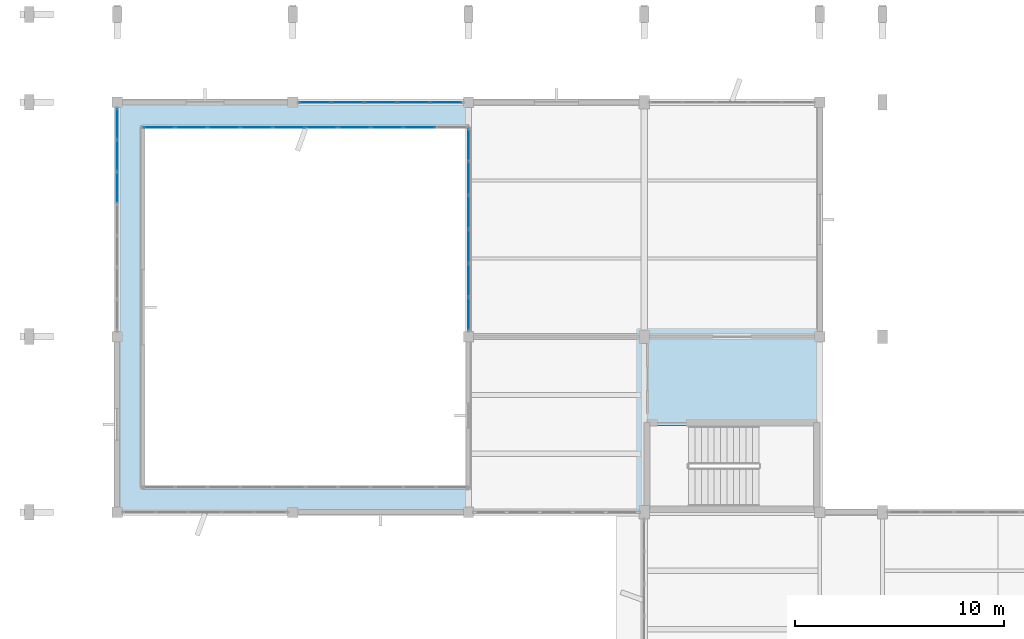
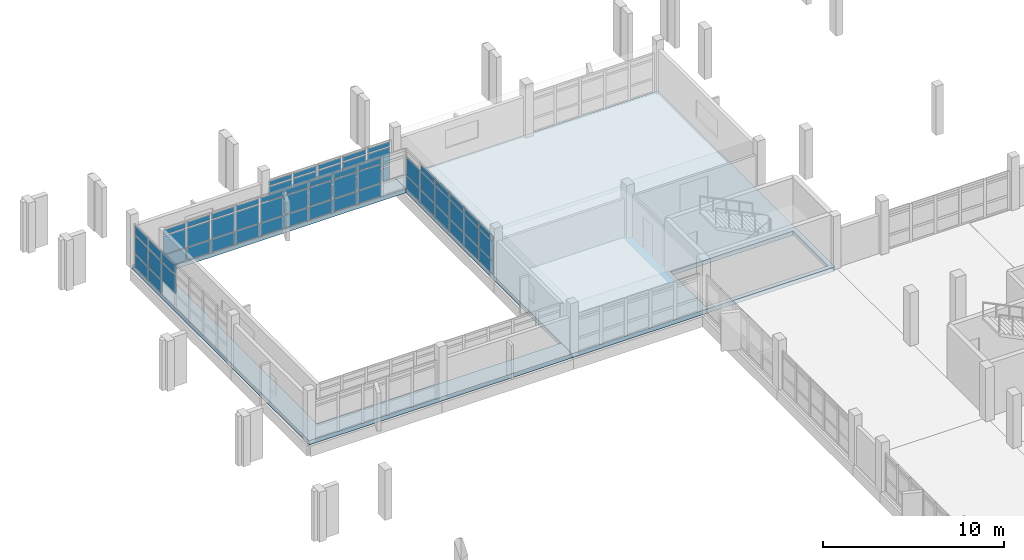
# One storey, part 60 of 104: 67 plates, 2 slabs, 4 elements without a shape of their own.
"""IFC4 building model written with IfcOpenShell, lengths in metres."""

import ifcopenshell
import ifcopenshell.guid

model = None  # the IFC model being written
_history = None  # IfcOwnerHistory: only IFC2X3 demands one
_inside = {}  # id of a spatial element -> (the spatial element, [elements in it])
_under = {}  # id of a project, library or spatial element -> (it, [spatial elements below it])
_declared = {}  # id of a project -> (the project, [libraries it declares])
_typed = {}  # id of a type object -> (the type object, [elements of that type])
_made_of = {}  # id of a material, layer set ... -> (it, [elements and type objects made of it])


def new_model(schema):
    """Start an empty IFC model of exactly this schema.

    Asked for "IFC4X3", IfcOpenShell would pick the latest addendum, in which some entities
    have other attributes; the version numbers below select the first issue.
    IFC2X3 requires an IfcOwnerHistory on every rooted entity: one is made here for all.
    """
    global model, _history
    if schema == "IFC4X3":
        model = ifcopenshell.file(schema_version=(4, 3, 0, 0))
    else:
        model = ifcopenshell.file(schema=schema)
    _inside.clear()
    _under.clear()
    _declared.clear()
    _typed.clear()
    _made_of.clear()
    _history = None
    if model.schema == "IFC2X3":
        org = make("IfcOrganization", Name="unknown")
        user = make(
            "IfcPersonAndOrganization",
            ThePerson=make("IfcPerson", FamilyName="unknown"),
            TheOrganization=org,
        )
        app = make(
            "IfcApplication",
            ApplicationDeveloper=org,
            Version="unknown",
            ApplicationFullName="unknown",
            ApplicationIdentifier="unknown",
        )
        _history = make(
            "IfcOwnerHistory",
            OwningUser=user,
            OwningApplication=app,
            ChangeAction="ADDED",
            CreationDate=0,
        )
    return model


def make(cls, **values):
    """One entity of the class cls with the attributes given. An attribute that is None is left unset."""
    return model.create_entity(
        cls, **{name: value for name, value in values.items() if value is not None}
    )


def rooted(cls, **values):
    """An entity with a GlobalId (a new one), such as an element, a storey or a relation."""
    return make(cls, GlobalId=ifcopenshell.guid.new(), OwnerHistory=_history, **values)


def si_unit(unit_type, name, prefix=None):
    """IfcSIUnit, for example si_unit("LENGTHUNIT", "METRE", prefix="MILLI")."""
    return make("IfcSIUnit", UnitType=unit_type, Prefix=prefix, Name=name)


def assignment(units):
    """IfcUnitAssignment: the units of a project."""
    return None if units is None else make("IfcUnitAssignment", Units=units)


def point(xyz):
    """IfcCartesianPoint."""
    return None if xyz is None else make("IfcCartesianPoint", Coordinates=xyz)


def direction(xyz):
    """IfcDirection."""
    return None if xyz is None else make("IfcDirection", DirectionRatios=xyz)


def frame(location, z_axis=None, x_axis=None):
    """IfcAxis2Placement3D, a coordinate frame: its origin and axes. An axis left out is left unset."""
    return make(
        "IfcAxis2Placement3D",
        Location=point(location),
        Axis=direction(z_axis),
        RefDirection=direction(x_axis),
    )


def frame_2d(location, x_axis=None):
    """IfcAxis2Placement2D, a coordinate frame in the plane: its origin and x axis."""
    return make(
        "IfcAxis2Placement2D", Location=point(location), RefDirection=direction(x_axis)
    )


def origin():
    """The frame at (0, 0, 0) with its axes left unset."""
    return frame((0.0, 0.0, 0.0))


def origin_2d():
    """The frame at (0, 0) in the plane with its x axis left unset."""
    return frame_2d((0.0, 0.0))


def place(relative_to, where):
    """IfcLocalPlacement: puts the frame where relative to a parent placement (None: the world)."""
    return make(
        "IfcLocalPlacement", PlacementRelTo=relative_to, RelativePlacement=where
    )


def context(
    kind, dimensions, precision=None, world=None, true_north=None, identifier=None
):
    """IfcGeometricRepresentationContext, for example the 3D "Model" context."""
    return make(
        "IfcGeometricRepresentationContext",
        ContextIdentifier=identifier,
        ContextType=kind,
        CoordinateSpaceDimension=dimensions,
        Precision=precision,
        WorldCoordinateSystem=world,
        TrueNorth=true_north,
    )


def subcontext(parent, identifier, kind, view, scale=None):
    """IfcGeometricRepresentationSubContext, for example "Body" below "Model"."""
    return make(
        "IfcGeometricRepresentationSubContext",
        ContextIdentifier=identifier,
        ContextType=kind,
        ParentContext=parent,
        TargetScale=scale,
        TargetView=view,
    )


def project(units=None, contexts=None):
    """IfcProject with its units and contexts."""
    return rooted(
        "IfcProject",
        Name="project",
        RepresentationContexts=contexts,
        UnitsInContext=assignment(units),
    )


def spatial(cls, under=None, at=None, **own):
    """A site, building, storey or space (cls), placed at a placement, below another one or the project."""
    s = rooted(cls, ObjectPlacement=at, **own)
    if under is not None:
        _under.setdefault(under.id(), (under, []))[1].append(s)
    return s


def polyline(points):
    """IfcPolyline through the points."""
    return make("IfcPolyline", Points=[point(p) for p in points])


def profile(cls, at=None, kind="AREA", **sizes):
    """A parametric profile (cls). Its sizes go by their IFC names, for example OverallWidth=200.0."""
    return make(cls, ProfileType=kind, Position=at, **sizes)


def rectangle(**sizes):
    """IfcRectangleProfileDef."""
    return profile("IfcRectangleProfileDef", **sizes)


def outline(outer, holes=None, kind="AREA"):
    """IfcArbitraryClosedProfileDef: a profile drawn as a closed curve; with holes, ...WithVoids."""
    if holes is None:
        return make("IfcArbitraryClosedProfileDef", ProfileType=kind, OuterCurve=outer)
    return make(
        "IfcArbitraryProfileDefWithVoids",
        ProfileType=kind,
        OuterCurve=outer,
        InnerCurves=holes,
    )


def extrude(swept, where, along, depth):
    """IfcExtrudedAreaSolid: the profile swept, set in the frame where, extruded along a direction by depth."""
    return make(
        "IfcExtrudedAreaSolid",
        SweptArea=swept,
        Position=where,
        ExtrudedDirection=direction(along),
        Depth=depth,
    )


def shape(context_of_items, identifier, shape_type, items):
    """IfcShapeRepresentation: the items that make up one representation, for example the "Body"."""
    return make(
        "IfcShapeRepresentation",
        ContextOfItems=context_of_items,
        RepresentationIdentifier=identifier,
        RepresentationType=shape_type,
        Items=items,
    )


def material(Name=None, Category=None):
    """IfcMaterial."""
    return make("IfcMaterial", Name=Name, Category=Category)


def layer(
    of_material, thickness, ventilated=None, Name=None, Category=None, Priority=None
):
    """IfcMaterialLayer: one layer of a wall or slab, of a material (None: an air gap)."""
    return make(
        "IfcMaterialLayer",
        Material=of_material,
        LayerThickness=thickness,
        IsVentilated=ventilated,
        Name=Name,
        Category=Category,
        Priority=Priority,
    )


def layer_set(layers, Name=None):
    """IfcMaterialLayerSet."""
    return make("IfcMaterialLayerSet", MaterialLayers=layers, LayerSetName=Name)


def made_of(thing, what):
    """Note that an element or type object is made of a material, layer set ...; save() writes the relation."""
    if what is not None:
        _made_of.setdefault(what.id(), (what, []))[1].append(thing)
    return thing


def type_object(cls, material=None, **own):
    """A type object (cls), such as IfcWallType, which elements share."""
    return made_of(rooted(cls, **own), material)


def element(
    cls,
    number,
    at=None,
    inside=None,
    cuts=None,
    type_object=None,
    material=None,
    context=None,
    identifier="Body",
    shape_type=None,
    held_by="IfcProductDefinitionShape",
    body=None,
    shapes=None,
    **own,
):
    """One element of the class cls, such as IfcWall. Its Tag is "e" and its number.

    at: its placement. inside: the storey or other place that contains it. cuts: it is an
    opening in that element (IfcRelVoidsElement). A single representation is given by context,
    identifier, shape_type and body (its items); several are given by shapes. held_by: the class
    of the entity that holds the representations. save() writes the other relations.
    """
    e = rooted(cls, Tag="e%d" % number, ObjectPlacement=at, **own)
    if body is not None:
        shapes = [shape(context, identifier, shape_type, body)]
    if shapes is not None:
        e.Representation = make(held_by, Representations=shapes)
    if inside is not None:
        _inside.setdefault(inside.id(), (inside, []))[1].append(e)
    if cuts is not None:
        rooted(
            "IfcRelVoidsElement", RelatingBuildingElement=cuts, RelatedOpeningElement=e
        )
    if type_object is not None:
        _typed.setdefault(type_object.id(), (type_object, []))[1].append(e)
    return made_of(e, material)


def aggregate(whole, parts):
    """IfcRelAggregates: a whole, such as a stair, and the parts it consists of."""
    return rooted("IfcRelAggregates", RelatingObject=whole, RelatedObjects=parts)


def save(model, path):
    """Write the relations noted so far, then the file.

    IfcRelAggregates (storeys below a building ...), IfcRelContainedInSpatialStructure (elements
    in a storey), IfcRelDefinesByType, IfcRelAssociatesMaterial and IfcRelDeclares: one each for
    every whole, place, type object, material and project.
    """
    for whole, parts in _under.values():
        aggregate(whole, parts)
    for where, things in _inside.values():
        rooted(
            "IfcRelContainedInSpatialStructure",
            RelatedElements=things,
            RelatingStructure=where,
        )
    for kind, things in _typed.values():
        rooted("IfcRelDefinesByType", RelatedObjects=things, RelatingType=kind)
    for what, things in _made_of.values():
        rooted("IfcRelAssociatesMaterial", RelatedObjects=things, RelatingMaterial=what)
    for by, libraries in _declared.values():
        rooted("IfcRelDeclares", RelatingContext=by, RelatedDefinitions=libraries)
    model.write(path)


model = new_model("IFC4")

# Units and contexts
model_context = context("Model", 3, precision=1e-05, world=origin(), true_north=direction((0.0, 1.0)))
body_context = subcontext(model_context, "Body", "Model", "MODEL_VIEW")
ifc_project = project(units=[si_unit("LENGTHUNIT", "METRE"), si_unit("AREAUNIT", "SQUARE_METRE"), si_unit("VOLUMEUNIT", "CUBIC_METRE"), si_unit("PLANEANGLEUNIT", "RADIAN"), si_unit("MASSUNIT", "GRAM", prefix="KILO")], contexts=[model_context])

# Site, building, storey
site_placement = place(None, origin())
site = spatial("IfcSite", under=ifc_project, at=site_placement, CompositionType="ELEMENT")
building_placement = place(site_placement, origin())
building = spatial("IfcBuilding", under=site, at=building_placement, Name="Vanh Quang Courtyard School", CompositionType="ELEMENT")
storey_placement = place(building_placement, frame((0.0, 0.0, 4.199951171875)))
storey = spatial("IfcBuildingStorey", under=building, at=storey_placement, Name="L01", CompositionType="ELEMENT", Elevation=4.199951171875)

# Curtain wall, plates
ifc_material_1 = material(Name="Thermally broken aluminium unitised curtain wall", Category="aluminium")
curtain_wall_type_1 = type_object("IfcCurtainWallType", Name="CW-SYS-22", PredefinedType="NOTDEFINED", material=ifc_material_1)
curtain_wall_1_placement = place(storey_placement, origin())
curtain_wall_1 = element("IfcCurtainWall", 1, at=curtain_wall_1_placement, inside=storey, type_object=curtain_wall_type_1, Name="Curtain Wall CW-22 (L01)", PredefinedType="NOTDEFINED")
ifc_material_2 = material(Name="Low-E laminated double glazing", Category="glass")
ifc_layer_1 = layer(ifc_material_2, 0.028076171875)
ifc_layer_set_1 = layer_set([ifc_layer_1], Name="Low-E laminated double glazing")
plate_type_1 = type_object("IfcPlateType", Name="CW-PNL-28", PredefinedType="CURTAIN_PANEL", material=ifc_layer_set_1)
plate_1_placement = place(storey_placement, frame((4.199951171875, 103.726318359375, 0.985107421875), z_axis=(0.0, 0.0, 1.0), x_axis=(0.0, 1.0, 0.0)))
plate_1 = element("IfcPlate", 2, at=plate_1_placement, type_object=plate_type_1, Name="CW-22 panel 5.2", PredefinedType="CURTAIN_PANEL", context=body_context, shape_type="SweptSolid", body=[
    extrude(rectangle(XDim=1.456298828125, YDim=0.028076171875, at=origin_2d()), origin(), (0.0, 0.0, 1.0), 1.22998046875),
])
plate_2_placement = place(storey_placement, frame((4.199951171875, 103.726318359375, 2.28515625), z_axis=(0.0, 0.0, 1.0), x_axis=(0.0, 1.0, 0.0)))
plate_2 = element("IfcPlate", 3, at=plate_2_placement, type_object=plate_type_1, Name="CW-22 panel 5.3", PredefinedType="CURTAIN_PANEL", context=body_context, shape_type="SweptSolid", body=[
    extrude(rectangle(XDim=1.456298828125, YDim=0.028076171875, at=origin_2d()), origin(), (0.0, 0.0, 1.0), 0.60498046875),
])
plate_3_placement = place(storey_placement, frame((4.199951171875, 105.252685546875, 0.06982421875), z_axis=(0.0, 0.0, 1.0), x_axis=(0.0, 1.0, 0.0)))
plate_3 = element("IfcPlate", 4, at=plate_3_placement, type_object=plate_type_1, Name="CW-22 panel 6.1", PredefinedType="CURTAIN_PANEL", context=body_context, shape_type="SweptSolid", body=[
    extrude(rectangle(XDim=1.456298828125, YDim=0.028076171875, at=origin_2d()), origin(), (0.0, 0.0, 1.0), 0.844970703125),
])
plate_4_placement = place(storey_placement, frame((4.199951171875, 105.252685546875, 0.985107421875), z_axis=(0.0, 0.0, 1.0), x_axis=(0.0, 1.0, 0.0)))
plate_4 = element("IfcPlate", 5, at=plate_4_placement, type_object=plate_type_1, Name="CW-22 panel 6.2", PredefinedType="CURTAIN_PANEL", context=body_context, shape_type="SweptSolid", body=[
    extrude(rectangle(XDim=1.456298828125, YDim=0.028076171875, at=origin_2d()), origin(), (0.0, 0.0, 1.0), 1.22998046875),
])
plate_5_placement = place(storey_placement, frame((4.199951171875, 105.252685546875, 2.28515625), z_axis=(0.0, 0.0, 1.0), x_axis=(0.0, 1.0, 0.0)))
plate_5 = element("IfcPlate", 6, at=plate_5_placement, type_object=plate_type_1, Name="CW-22 panel 6.3", PredefinedType="CURTAIN_PANEL", context=body_context, shape_type="SweptSolid", body=[
    extrude(rectangle(XDim=1.456298828125, YDim=0.028076171875, at=origin_2d()), origin(), (0.0, 0.0, 1.0), 0.60498046875),
])
plate_6_placement = place(storey_placement, frame((4.199951171875, 106.761474609375, 0.06982421875), z_axis=(0.0, 0.0, 1.0), x_axis=(0.0, 1.0, 0.0)))
plate_6 = element("IfcPlate", 7, at=plate_6_placement, type_object=plate_type_1, Name="CW-22 panel 7.1", PredefinedType="CURTAIN_PANEL", context=body_context, shape_type="SweptSolid", body=[
    extrude(rectangle(XDim=1.42138671875, YDim=0.028076171875, at=origin_2d()), origin(), (0.0, 0.0, 1.0), 0.844970703125),
])
plate_7_placement = place(storey_placement, frame((4.199951171875, 106.761474609375, 0.985107421875), z_axis=(0.0, 0.0, 1.0), x_axis=(0.0, 1.0, 0.0)))
plate_7 = element("IfcPlate", 8, at=plate_7_placement, type_object=plate_type_1, Name="CW-22 panel 7.2", PredefinedType="CURTAIN_PANEL", context=body_context, shape_type="SweptSolid", body=[
    extrude(rectangle(XDim=1.42138671875, YDim=0.028076171875, at=origin_2d()), origin(), (0.0, 0.0, 1.0), 1.22998046875),
])
plate_8_placement = place(storey_placement, frame((4.199951171875, 106.761474609375, 2.28515625), z_axis=(0.0, 0.0, 1.0), x_axis=(0.0, 1.0, 0.0)))
plate_8 = element("IfcPlate", 9, at=plate_8_placement, type_object=plate_type_1, Name="CW-22 panel 7.3", PredefinedType="CURTAIN_PANEL", context=body_context, shape_type="SweptSolid", body=[
    extrude(rectangle(XDim=1.42138671875, YDim=0.028076171875, at=origin_2d()), origin(), (0.0, 0.0, 1.0), 0.60498046875),
])
aggregate(curtain_wall_1, [plate_1, plate_2, plate_3, plate_4, plate_5, plate_6, plate_7, plate_8])

curtain_wall_type_2 = type_object("IfcCurtainWallType", Name="CW-SYS-23", PredefinedType="NOTDEFINED", material=ifc_material_1)
curtain_wall_2_placement = place(storey_placement, origin())
curtain_wall_2 = element("IfcCurtainWall", 10, at=curtain_wall_2_placement, inside=storey, type_object=curtain_wall_type_2, Name="Curtain Wall CW-23 (L01)", PredefinedType="NOTDEFINED")
ifc_layer_2 = layer(ifc_material_2, 0.031982421875)
ifc_layer_set_2 = layer_set([ifc_layer_2], Name="Low-E laminated double glazing")
plate_type_2 = type_object("IfcPlateType", Name="CW-PNL-32", PredefinedType="CURTAIN_PANEL", material=ifc_layer_set_2)
plate_9_placement = place(storey_placement, frame((13.66650390625, 107.800048828125, 0.080078125), z_axis=(0.0, 0.0, 1.0), x_axis=(1.0, 0.0, 0.0)))
plate_9 = element("IfcPlate", 11, at=plate_9_placement, type_object=plate_type_2, Name="CW-23 panel 1.1", PredefinedType="CURTAIN_PANEL", context=body_context, shape_type="SweptSolid", body=[
    extrude(rectangle(XDim=1.456787109375, YDim=0.031982421875, at=origin_2d()), origin(), (0.0, 0.0, 1.0), 0.830078125),
])
plate_10_placement = place(storey_placement, frame((13.66650390625, 107.800048828125, 0.990234375), z_axis=(0.0, 0.0, 1.0), x_axis=(1.0, 0.0, 0.0)))
plate_10 = element("IfcPlate", 12, at=plate_10_placement, type_object=plate_type_2, Name="CW-23 panel 1.2", PredefinedType="CURTAIN_PANEL", context=body_context, shape_type="SweptSolid", body=[
    extrude(rectangle(XDim=1.456787109375, YDim=0.031982421875, at=origin_2d()), origin(), (0.0, 0.0, 1.0), 1.219970703125),
])
plate_11_placement = place(storey_placement, frame((13.66650390625, 107.800048828125, 2.2900390625), z_axis=(0.0, 0.0, 1.0), x_axis=(1.0, 0.0, 0.0)))
plate_11 = element("IfcPlate", 13, at=plate_11_placement, type_object=plate_type_2, Name="CW-23 panel 1.3", PredefinedType="CURTAIN_PANEL", context=body_context, shape_type="SweptSolid", body=[
    extrude(rectangle(XDim=1.456787109375, YDim=0.031982421875, at=origin_2d()), origin(), (0.0, 0.0, 1.0), 0.300048828125),
])
plate_12_placement = place(storey_placement, frame((15.22314453125, 107.800048828125, 0.080078125), z_axis=(0.0, 0.0, 1.0), x_axis=(1.0, 0.0, 0.0)))
plate_12 = element("IfcPlate", 14, at=plate_12_placement, type_object=plate_type_2, Name="CW-23 panel 2.1", PredefinedType="CURTAIN_PANEL", context=body_context, shape_type="SweptSolid", body=[
    extrude(rectangle(XDim=1.496826171875, YDim=0.031982421875, at=origin_2d()), origin(), (0.0, 0.0, 1.0), 0.830078125),
])
plate_13_placement = place(storey_placement, frame((15.22314453125, 107.800048828125, 0.990234375), z_axis=(0.0, 0.0, 1.0), x_axis=(1.0, 0.0, 0.0)))
plate_13 = element("IfcPlate", 15, at=plate_13_placement, type_object=plate_type_2, Name="CW-23 panel 2.2", PredefinedType="CURTAIN_PANEL", context=body_context, shape_type="SweptSolid", body=[
    extrude(rectangle(XDim=1.496826171875, YDim=0.031982421875, at=origin_2d()), origin(), (0.0, 0.0, 1.0), 1.219970703125),
])
plate_14_placement = place(storey_placement, frame((15.22314453125, 107.800048828125, 2.2900390625), z_axis=(0.0, 0.0, 1.0), x_axis=(1.0, 0.0, 0.0)))
plate_14 = element("IfcPlate", 16, at=plate_14_placement, type_object=plate_type_2, Name="CW-23 panel 2.3", PredefinedType="CURTAIN_PANEL", context=body_context, shape_type="SweptSolid", body=[
    extrude(rectangle(XDim=1.496826171875, YDim=0.031982421875, at=origin_2d()), origin(), (0.0, 0.0, 1.0), 0.300048828125),
])
plate_15_placement = place(storey_placement, frame((16.800048828125, 107.800048828125, 0.080078125), z_axis=(0.0, 0.0, 1.0), x_axis=(1.0, 0.0, 0.0)))
plate_15 = element("IfcPlate", 17, at=plate_15_placement, type_object=plate_type_2, Name="CW-23 panel 3.1", PredefinedType="CURTAIN_PANEL", context=body_context, shape_type="SweptSolid", body=[
    extrude(rectangle(XDim=1.496826171875, YDim=0.031982421875, at=origin_2d()), origin(), (0.0, 0.0, 1.0), 0.830078125),
])
plate_16_placement = place(storey_placement, frame((16.800048828125, 107.800048828125, 0.990234375), z_axis=(0.0, 0.0, 1.0), x_axis=(1.0, 0.0, 0.0)))
plate_16 = element("IfcPlate", 18, at=plate_16_placement, type_object=plate_type_2, Name="CW-23 panel 3.2", PredefinedType="CURTAIN_PANEL", context=body_context, shape_type="SweptSolid", body=[
    extrude(rectangle(XDim=1.496826171875, YDim=0.031982421875, at=origin_2d()), origin(), (0.0, 0.0, 1.0), 1.219970703125),
])
plate_17_placement = place(storey_placement, frame((16.800048828125, 107.800048828125, 2.2900390625), z_axis=(0.0, 0.0, 1.0), x_axis=(1.0, 0.0, 0.0)))
plate_17 = element("IfcPlate", 19, at=plate_17_placement, type_object=plate_type_2, Name="CW-23 panel 3.3", PredefinedType="CURTAIN_PANEL", context=body_context, shape_type="SweptSolid", body=[
    extrude(rectangle(XDim=1.496826171875, YDim=0.031982421875, at=origin_2d()), origin(), (0.0, 0.0, 1.0), 0.300048828125),
])
plate_18_placement = place(storey_placement, frame((18.376708984375, 107.800048828125, 0.080078125), z_axis=(0.0, 0.0, 1.0), x_axis=(1.0, 0.0, 0.0)))
plate_18 = element("IfcPlate", 20, at=plate_18_placement, type_object=plate_type_2, Name="CW-23 panel 4.1", PredefinedType="CURTAIN_PANEL", context=body_context, shape_type="SweptSolid", body=[
    extrude(rectangle(XDim=1.496826171875, YDim=0.031982421875, at=origin_2d()), origin(), (0.0, 0.0, 1.0), 0.830078125),
])
plate_19_placement = place(storey_placement, frame((18.376708984375, 107.800048828125, 0.990234375), z_axis=(0.0, 0.0, 1.0), x_axis=(1.0, 0.0, 0.0)))
plate_19 = element("IfcPlate", 21, at=plate_19_placement, type_object=plate_type_2, Name="CW-23 panel 4.2", PredefinedType="CURTAIN_PANEL", context=body_context, shape_type="SweptSolid", body=[
    extrude(rectangle(XDim=1.496826171875, YDim=0.031982421875, at=origin_2d()), origin(), (0.0, 0.0, 1.0), 1.219970703125),
])
plate_20_placement = place(storey_placement, frame((18.376708984375, 107.800048828125, 2.2900390625), z_axis=(0.0, 0.0, 1.0), x_axis=(1.0, 0.0, 0.0)))
plate_20 = element("IfcPlate", 22, at=plate_20_placement, type_object=plate_type_2, Name="CW-23 panel 4.3", PredefinedType="CURTAIN_PANEL", context=body_context, shape_type="SweptSolid", body=[
    extrude(rectangle(XDim=1.496826171875, YDim=0.031982421875, at=origin_2d()), origin(), (0.0, 0.0, 1.0), 0.300048828125),
])
plate_21_placement = place(storey_placement, frame((19.93359375, 107.800048828125, 0.080078125), z_axis=(0.0, 0.0, 1.0), x_axis=(1.0, 0.0, 0.0)))
plate_21 = element("IfcPlate", 23, at=plate_21_placement, type_object=plate_type_2, Name="CW-23 panel 5.1", PredefinedType="CURTAIN_PANEL", context=body_context, shape_type="SweptSolid", body=[
    extrude(rectangle(XDim=1.456787109375, YDim=0.031982421875, at=origin_2d()), origin(), (0.0, 0.0, 1.0), 0.830078125),
])
plate_22_placement = place(storey_placement, frame((19.93359375, 107.800048828125, 0.990234375), z_axis=(0.0, 0.0, 1.0), x_axis=(1.0, 0.0, 0.0)))
plate_22 = element("IfcPlate", 24, at=plate_22_placement, type_object=plate_type_2, Name="CW-23 panel 5.2", PredefinedType="CURTAIN_PANEL", context=body_context, shape_type="SweptSolid", body=[
    extrude(rectangle(XDim=1.456787109375, YDim=0.031982421875, at=origin_2d()), origin(), (0.0, 0.0, 1.0), 1.219970703125),
])
plate_23_placement = place(storey_placement, frame((19.93359375, 107.800048828125, 2.2900390625), z_axis=(0.0, 0.0, 1.0), x_axis=(1.0, 0.0, 0.0)))
plate_23 = element("IfcPlate", 25, at=plate_23_placement, type_object=plate_type_2, Name="CW-23 panel 5.3", PredefinedType="CURTAIN_PANEL", context=body_context, shape_type="SweptSolid", body=[
    extrude(rectangle(XDim=1.456787109375, YDim=0.031982421875, at=origin_2d()), origin(), (0.0, 0.0, 1.0), 0.300048828125),
])
aggregate(curtain_wall_2, [plate_9, plate_10, plate_11, plate_12, plate_13, plate_14, plate_15, plate_16, plate_17, plate_18, plate_19, plate_20, plate_21, plate_22, plate_23])

curtain_wall_type_3 = type_object("IfcCurtainWallType", Name="CW-SYS-35", PredefinedType="NOTDEFINED", material=ifc_material_1)
curtain_wall_3_placement = place(storey_placement, origin())
curtain_wall_3 = element("IfcCurtainWall", 26, at=curtain_wall_3_placement, inside=storey, type_object=curtain_wall_type_3, Name="Curtain Wall CW-35 (L01)", PredefinedType="NOTDEFINED")
plate_24_placement = place(storey_placement, frame((18.659912109375, 106.60009765625, 0.080078125), z_axis=(0.0, 0.0, 1.0), x_axis=(-1.0, 0.0, 0.0)))
plate_24 = element("IfcPlate", 27, at=plate_24_placement, type_object=plate_type_2, Name="CW-35 panel 2.1", PredefinedType="CURTAIN_PANEL", context=body_context, shape_type="SweptSolid", body=[
    extrude(rectangle(XDim=1.47998046875, YDim=0.031982421875, at=origin_2d()), origin(), (0.0, 0.0, 1.0), 0.830078125),
])
plate_25_placement = place(storey_placement, frame((18.659912109375, 106.60009765625, 0.990234375), z_axis=(0.0, 0.0, 1.0), x_axis=(-1.0, 0.0, 0.0)))
plate_25 = element("IfcPlate", 28, at=plate_25_placement, type_object=plate_type_2, Name="CW-35 panel 2.2", PredefinedType="CURTAIN_PANEL", context=body_context, shape_type="SweptSolid", body=[
    extrude(rectangle(XDim=1.47998046875, YDim=0.031982421875, at=origin_2d()), origin(), (0.0, 0.0, 1.0), 1.219970703125),
])
plate_26_placement = place(storey_placement, frame((18.659912109375, 106.60009765625, 2.2900390625), z_axis=(0.0, 0.0, 1.0), x_axis=(-1.0, 0.0, 0.0)))
plate_26 = element("IfcPlate", 29, at=plate_26_placement, type_object=plate_type_2, Name="CW-35 panel 2.3", PredefinedType="CURTAIN_PANEL", context=body_context, shape_type="SweptSolid", body=[
    extrude(rectangle(XDim=1.47998046875, YDim=0.031982421875, at=origin_2d()), origin(), (0.0, 0.0, 1.0), 0.35009765625),
])
plate_27_placement = place(storey_placement, frame((17.10009765625, 106.60009765625, 0.080078125), z_axis=(0.0, 0.0, 1.0), x_axis=(-1.0, 0.0, 0.0)))
plate_27 = element("IfcPlate", 30, at=plate_27_placement, type_object=plate_type_2, Name="CW-35 panel 3.1", PredefinedType="CURTAIN_PANEL", context=body_context, shape_type="SweptSolid", body=[
    extrude(rectangle(XDim=1.47998046875, YDim=0.031982421875, at=origin_2d()), origin(), (0.0, 0.0, 1.0), 0.830078125),
])
plate_28_placement = place(storey_placement, frame((17.10009765625, 106.60009765625, 0.990234375), z_axis=(0.0, 0.0, 1.0), x_axis=(-1.0, 0.0, 0.0)))
plate_28 = element("IfcPlate", 31, at=plate_28_placement, type_object=plate_type_2, Name="CW-35 panel 3.2", PredefinedType="CURTAIN_PANEL", context=body_context, shape_type="SweptSolid", body=[
    extrude(rectangle(XDim=1.47998046875, YDim=0.031982421875, at=origin_2d()), origin(), (0.0, 0.0, 1.0), 1.219970703125),
])
plate_29_placement = place(storey_placement, frame((17.10009765625, 106.60009765625, 2.2900390625), z_axis=(0.0, 0.0, 1.0), x_axis=(-1.0, 0.0, 0.0)))
plate_29 = element("IfcPlate", 32, at=plate_29_placement, type_object=plate_type_2, Name="CW-35 panel 3.3", PredefinedType="CURTAIN_PANEL", context=body_context, shape_type="SweptSolid", body=[
    extrude(rectangle(XDim=1.47998046875, YDim=0.031982421875, at=origin_2d()), origin(), (0.0, 0.0, 1.0), 0.35009765625),
])
plate_30_placement = place(storey_placement, frame((15.5400390625, 106.60009765625, 0.080078125), z_axis=(0.0, 0.0, 1.0), x_axis=(-1.0, 0.0, 0.0)))
plate_30 = element("IfcPlate", 33, at=plate_30_placement, type_object=plate_type_2, Name="CW-35 panel 4.1", PredefinedType="CURTAIN_PANEL", context=body_context, shape_type="SweptSolid", body=[
    extrude(rectangle(XDim=1.47998046875, YDim=0.031982421875, at=origin_2d()), origin(), (0.0, 0.0, 1.0), 0.830078125),
])
plate_31_placement = place(storey_placement, frame((15.5400390625, 106.60009765625, 0.990234375), z_axis=(0.0, 0.0, 1.0), x_axis=(-1.0, 0.0, 0.0)))
plate_31 = element("IfcPlate", 34, at=plate_31_placement, type_object=plate_type_2, Name="CW-35 panel 4.2", PredefinedType="CURTAIN_PANEL", context=body_context, shape_type="SweptSolid", body=[
    extrude(rectangle(XDim=1.47998046875, YDim=0.031982421875, at=origin_2d()), origin(), (0.0, 0.0, 1.0), 1.219970703125),
])
plate_32_placement = place(storey_placement, frame((15.5400390625, 106.60009765625, 2.2900390625), z_axis=(0.0, 0.0, 1.0), x_axis=(-1.0, 0.0, 0.0)))
plate_32 = element("IfcPlate", 35, at=plate_32_placement, type_object=plate_type_2, Name="CW-35 panel 4.3", PredefinedType="CURTAIN_PANEL", context=body_context, shape_type="SweptSolid", body=[
    extrude(rectangle(XDim=1.47998046875, YDim=0.031982421875, at=origin_2d()), origin(), (0.0, 0.0, 1.0), 0.35009765625),
])
plate_33_placement = place(storey_placement, frame((13.97998046875, 106.60009765625, 0.080078125), z_axis=(0.0, 0.0, 1.0), x_axis=(-1.0, 0.0, 0.0)))
plate_33 = element("IfcPlate", 36, at=plate_33_placement, type_object=plate_type_2, Name="CW-35 panel 5.1", PredefinedType="CURTAIN_PANEL", context=body_context, shape_type="SweptSolid", body=[
    extrude(rectangle(XDim=1.47998046875, YDim=0.031982421875, at=origin_2d()), origin(), (0.0, 0.0, 1.0), 0.830078125),
])
plate_34_placement = place(storey_placement, frame((13.97998046875, 106.60009765625, 0.990234375), z_axis=(0.0, 0.0, 1.0), x_axis=(-1.0, 0.0, 0.0)))
plate_34 = element("IfcPlate", 37, at=plate_34_placement, type_object=plate_type_2, Name="CW-35 panel 5.2", PredefinedType="CURTAIN_PANEL", context=body_context, shape_type="SweptSolid", body=[
    extrude(rectangle(XDim=1.47998046875, YDim=0.031982421875, at=origin_2d()), origin(), (0.0, 0.0, 1.0), 1.219970703125),
])
plate_35_placement = place(storey_placement, frame((13.97998046875, 106.60009765625, 2.2900390625), z_axis=(0.0, 0.0, 1.0), x_axis=(-1.0, 0.0, 0.0)))
plate_35 = element("IfcPlate", 38, at=plate_35_placement, type_object=plate_type_2, Name="CW-35 panel 5.3", PredefinedType="CURTAIN_PANEL", context=body_context, shape_type="SweptSolid", body=[
    extrude(rectangle(XDim=1.47998046875, YDim=0.031982421875, at=origin_2d()), origin(), (0.0, 0.0, 1.0), 0.35009765625),
])
plate_36_placement = place(storey_placement, frame((12.419921875, 106.60009765625, 0.080078125), z_axis=(0.0, 0.0, 1.0), x_axis=(-1.0, 0.0, 0.0)))
plate_36 = element("IfcPlate", 39, at=plate_36_placement, type_object=plate_type_2, Name="CW-35 panel 6.1", PredefinedType="CURTAIN_PANEL", context=body_context, shape_type="SweptSolid", body=[
    extrude(rectangle(XDim=1.47998046875, YDim=0.031982421875, at=origin_2d()), origin(), (0.0, 0.0, 1.0), 0.830078125),
])
plate_37_placement = place(storey_placement, frame((12.419921875, 106.60009765625, 0.990234375), z_axis=(0.0, 0.0, 1.0), x_axis=(-1.0, 0.0, 0.0)))
plate_37 = element("IfcPlate", 40, at=plate_37_placement, type_object=plate_type_2, Name="CW-35 panel 6.2", PredefinedType="CURTAIN_PANEL", context=body_context, shape_type="SweptSolid", body=[
    extrude(rectangle(XDim=1.47998046875, YDim=0.031982421875, at=origin_2d()), origin(), (0.0, 0.0, 1.0), 1.219970703125),
])
plate_38_placement = place(storey_placement, frame((12.419921875, 106.60009765625, 2.2900390625), z_axis=(0.0, 0.0, 1.0), x_axis=(-1.0, 0.0, 0.0)))
plate_38 = element("IfcPlate", 41, at=plate_38_placement, type_object=plate_type_2, Name="CW-35 panel 6.3", PredefinedType="CURTAIN_PANEL", context=body_context, shape_type="SweptSolid", body=[
    extrude(rectangle(XDim=1.47998046875, YDim=0.031982421875, at=origin_2d()), origin(), (0.0, 0.0, 1.0), 0.35009765625),
])
plate_39_placement = place(storey_placement, frame((10.860107421875, 106.60009765625, 0.080078125), z_axis=(0.0, 0.0, 1.0), x_axis=(-1.0, 0.0, 0.0)))
plate_39 = element("IfcPlate", 42, at=plate_39_placement, type_object=plate_type_2, Name="CW-35 panel 7.1", PredefinedType="CURTAIN_PANEL", context=body_context, shape_type="SweptSolid", body=[
    extrude(rectangle(XDim=1.47998046875, YDim=0.031982421875, at=origin_2d()), origin(), (0.0, 0.0, 1.0), 0.830078125),
])
plate_40_placement = place(storey_placement, frame((10.860107421875, 106.60009765625, 0.990234375), z_axis=(0.0, 0.0, 1.0), x_axis=(-1.0, 0.0, 0.0)))
plate_40 = element("IfcPlate", 43, at=plate_40_placement, type_object=plate_type_2, Name="CW-35 panel 7.2", PredefinedType="CURTAIN_PANEL", context=body_context, shape_type="SweptSolid", body=[
    extrude(rectangle(XDim=1.47998046875, YDim=0.031982421875, at=origin_2d()), origin(), (0.0, 0.0, 1.0), 1.219970703125),
])
plate_41_placement = place(storey_placement, frame((10.860107421875, 106.60009765625, 2.2900390625), z_axis=(0.0, 0.0, 1.0), x_axis=(-1.0, 0.0, 0.0)))
plate_41 = element("IfcPlate", 44, at=plate_41_placement, type_object=plate_type_2, Name="CW-35 panel 7.3", PredefinedType="CURTAIN_PANEL", context=body_context, shape_type="SweptSolid", body=[
    extrude(rectangle(XDim=1.47998046875, YDim=0.031982421875, at=origin_2d()), origin(), (0.0, 0.0, 1.0), 0.35009765625),
])
plate_42_placement = place(storey_placement, frame((9.300048828125, 106.60009765625, 0.080078125), z_axis=(0.0, 0.0, 1.0), x_axis=(-1.0, 0.0, 0.0)))
plate_42 = element("IfcPlate", 45, at=plate_42_placement, type_object=plate_type_2, Name="CW-35 panel 8.1", PredefinedType="CURTAIN_PANEL", context=body_context, shape_type="SweptSolid", body=[
    extrude(rectangle(XDim=1.47998046875, YDim=0.031982421875, at=origin_2d()), origin(), (0.0, 0.0, 1.0), 0.830078125),
])
plate_43_placement = place(storey_placement, frame((9.300048828125, 106.60009765625, 0.990234375), z_axis=(0.0, 0.0, 1.0), x_axis=(-1.0, 0.0, 0.0)))
plate_43 = element("IfcPlate", 46, at=plate_43_placement, type_object=plate_type_2, Name="CW-35 panel 8.2", PredefinedType="CURTAIN_PANEL", context=body_context, shape_type="SweptSolid", body=[
    extrude(rectangle(XDim=1.47998046875, YDim=0.031982421875, at=origin_2d()), origin(), (0.0, 0.0, 1.0), 1.219970703125),
])
plate_44_placement = place(storey_placement, frame((9.300048828125, 106.60009765625, 2.2900390625), z_axis=(0.0, 0.0, 1.0), x_axis=(-1.0, 0.0, 0.0)))
plate_44 = element("IfcPlate", 47, at=plate_44_placement, type_object=plate_type_2, Name="CW-35 panel 8.3", PredefinedType="CURTAIN_PANEL", context=body_context, shape_type="SweptSolid", body=[
    extrude(rectangle(XDim=1.47998046875, YDim=0.031982421875, at=origin_2d()), origin(), (0.0, 0.0, 1.0), 0.35009765625),
])
plate_45_placement = place(storey_placement, frame((7.739990234375, 106.60009765625, 0.080078125), z_axis=(0.0, 0.0, 1.0), x_axis=(-1.0, 0.0, 0.0)))
plate_45 = element("IfcPlate", 48, at=plate_45_placement, type_object=plate_type_2, Name="CW-35 panel 9.1", PredefinedType="CURTAIN_PANEL", context=body_context, shape_type="SweptSolid", body=[
    extrude(rectangle(XDim=1.47998046875, YDim=0.031982421875, at=origin_2d()), origin(), (0.0, 0.0, 1.0), 0.830078125),
])
plate_46_placement = place(storey_placement, frame((7.739990234375, 106.60009765625, 0.990234375), z_axis=(0.0, 0.0, 1.0), x_axis=(-1.0, 0.0, 0.0)))
plate_46 = element("IfcPlate", 49, at=plate_46_placement, type_object=plate_type_2, Name="CW-35 panel 9.2", PredefinedType="CURTAIN_PANEL", context=body_context, shape_type="SweptSolid", body=[
    extrude(rectangle(XDim=1.47998046875, YDim=0.031982421875, at=origin_2d()), origin(), (0.0, 0.0, 1.0), 1.219970703125),
])
plate_47_placement = place(storey_placement, frame((7.739990234375, 106.60009765625, 2.2900390625), z_axis=(0.0, 0.0, 1.0), x_axis=(-1.0, 0.0, 0.0)))
plate_47 = element("IfcPlate", 50, at=plate_47_placement, type_object=plate_type_2, Name="CW-35 panel 9.3", PredefinedType="CURTAIN_PANEL", context=body_context, shape_type="SweptSolid", body=[
    extrude(rectangle(XDim=1.47998046875, YDim=0.031982421875, at=origin_2d()), origin(), (0.0, 0.0, 1.0), 0.35009765625),
])
plate_48_placement = place(storey_placement, frame((6.199951171875, 106.60009765625, 0.080078125), z_axis=(0.0, 0.0, 1.0), x_axis=(-1.0, 0.0, 0.0)))
plate_48 = element("IfcPlate", 51, at=plate_48_placement, type_object=plate_type_2, Name="CW-35 panel 10.1", PredefinedType="CURTAIN_PANEL", context=body_context, shape_type="SweptSolid", body=[
    extrude(rectangle(XDim=1.43994140625, YDim=0.031982421875, at=origin_2d()), origin(), (0.0, 0.0, 1.0), 0.830078125),
])
plate_49_placement = place(storey_placement, frame((6.199951171875, 106.60009765625, 0.990234375), z_axis=(0.0, 0.0, 1.0), x_axis=(-1.0, 0.0, 0.0)))
plate_49 = element("IfcPlate", 52, at=plate_49_placement, type_object=plate_type_2, Name="CW-35 panel 10.2", PredefinedType="CURTAIN_PANEL", context=body_context, shape_type="SweptSolid", body=[
    extrude(rectangle(XDim=1.43994140625, YDim=0.031982421875, at=origin_2d()), origin(), (0.0, 0.0, 1.0), 1.219970703125),
])
plate_50_placement = place(storey_placement, frame((6.199951171875, 106.60009765625, 2.2900390625), z_axis=(0.0, 0.0, 1.0), x_axis=(-1.0, 0.0, 0.0)))
plate_50 = element("IfcPlate", 53, at=plate_50_placement, type_object=plate_type_2, Name="CW-35 panel 10.3", PredefinedType="CURTAIN_PANEL", context=body_context, shape_type="SweptSolid", body=[
    extrude(rectangle(XDim=1.43994140625, YDim=0.031982421875, at=origin_2d()), origin(), (0.0, 0.0, 1.0), 0.35009765625),
])
aggregate(curtain_wall_3, [plate_24, plate_25, plate_26, plate_27, plate_28, plate_29, plate_30, plate_31, plate_32, plate_33, plate_34, plate_35, plate_36, plate_37, plate_38, plate_39, plate_40, plate_41, plate_42, plate_43, plate_44, plate_45, plate_46, plate_47, plate_48, plate_49, plate_50])

curtain_wall_type_4 = type_object("IfcCurtainWallType", Name="CW-SYS-36", PredefinedType="NOTDEFINED", material=ifc_material_1)
curtain_wall_4_placement = place(storey_placement, origin())
curtain_wall_4 = element("IfcCurtainWall", 54, at=curtain_wall_4_placement, inside=storey, type_object=curtain_wall_type_4, Name="Curtain Wall CW-36 (L01)", PredefinedType="NOTDEFINED")
plate_51_placement = place(storey_placement, frame((21.0, 97.687255859375, 0.06982421875), z_axis=(0.0, 0.0, 1.0), x_axis=(0.0, 1.0, 0.0)))
plate_51 = element("IfcPlate", 55, at=plate_51_placement, type_object=plate_type_2, Name="CW-36 panel 1.1", PredefinedType="CURTAIN_PANEL", context=body_context, shape_type="SweptSolid", body=[
    extrude(rectangle(XDim=1.5185546875, YDim=0.031982421875, at=origin_2d()), origin(), (0.0, 0.0, 1.0), 0.844970703125),
])
plate_52_placement = place(storey_placement, frame((21.0, 97.687255859375, 0.985107421875), z_axis=(0.0, 0.0, 1.0), x_axis=(0.0, 1.0, 0.0)))
plate_52 = element("IfcPlate", 56, at=plate_52_placement, type_object=plate_type_2, Name="CW-36 panel 1.2", PredefinedType="CURTAIN_PANEL", context=body_context, shape_type="SweptSolid", body=[
    extrude(rectangle(XDim=1.5185546875, YDim=0.031982421875, at=origin_2d()), origin(), (0.0, 0.0, 1.0), 1.22998046875),
])
plate_53_placement = place(storey_placement, frame((21.0, 97.687255859375, 2.28515625), z_axis=(0.0, 0.0, 1.0), x_axis=(0.0, 1.0, 0.0)))
plate_53 = element("IfcPlate", 57, at=plate_53_placement, type_object=plate_type_2, Name="CW-36 panel 1.3", PredefinedType="CURTAIN_PANEL", context=body_context, shape_type="SweptSolid", body=[
    extrude(rectangle(XDim=1.5185546875, YDim=0.031982421875, at=origin_2d()), origin(), (0.0, 0.0, 1.0), 0.364990234375),
])
plate_54_placement = place(storey_placement, frame((21.0, 99.29345703125, 0.06982421875), z_axis=(0.0, 0.0, 1.0), x_axis=(0.0, 1.0, 0.0)))
plate_54 = element("IfcPlate", 58, at=plate_54_placement, type_object=plate_type_2, Name="CW-36 panel 2.1", PredefinedType="CURTAIN_PANEL", context=body_context, shape_type="SweptSolid", body=[
    extrude(rectangle(XDim=1.5537109375, YDim=0.031982421875, at=origin_2d()), origin(), (0.0, 0.0, 1.0), 0.844970703125),
])
plate_55_placement = place(storey_placement, frame((21.0, 99.29345703125, 0.985107421875), z_axis=(0.0, 0.0, 1.0), x_axis=(0.0, 1.0, 0.0)))
plate_55 = element("IfcPlate", 59, at=plate_55_placement, type_object=plate_type_2, Name="CW-36 panel 2.2", PredefinedType="CURTAIN_PANEL", context=body_context, shape_type="SweptSolid", body=[
    extrude(rectangle(XDim=1.5537109375, YDim=0.031982421875, at=origin_2d()), origin(), (0.0, 0.0, 1.0), 1.22998046875),
])
plate_56_placement = place(storey_placement, frame((21.0, 99.29345703125, 2.28515625), z_axis=(0.0, 0.0, 1.0), x_axis=(0.0, 1.0, 0.0)))
plate_56 = element("IfcPlate", 60, at=plate_56_placement, type_object=plate_type_2, Name="CW-36 panel 2.3", PredefinedType="CURTAIN_PANEL", context=body_context, shape_type="SweptSolid", body=[
    extrude(rectangle(XDim=1.5537109375, YDim=0.031982421875, at=origin_2d()), origin(), (0.0, 0.0, 1.0), 0.364990234375),
])
plate_57_placement = place(storey_placement, frame((21.0, 100.917236328125, 0.06982421875), z_axis=(0.0, 0.0, 1.0), x_axis=(0.0, 1.0, 0.0)))
plate_57 = element("IfcPlate", 61, at=plate_57_placement, type_object=plate_type_2, Name="CW-36 panel 3.1", PredefinedType="CURTAIN_PANEL", context=body_context, shape_type="SweptSolid", body=[
    extrude(rectangle(XDim=1.5537109375, YDim=0.031982421875, at=origin_2d()), origin(), (0.0, 0.0, 1.0), 0.844970703125),
])
plate_58_placement = place(storey_placement, frame((21.0, 100.917236328125, 0.985107421875), z_axis=(0.0, 0.0, 1.0), x_axis=(0.0, 1.0, 0.0)))
plate_58 = element("IfcPlate", 62, at=plate_58_placement, type_object=plate_type_2, Name="CW-36 panel 3.2", PredefinedType="CURTAIN_PANEL", context=body_context, shape_type="SweptSolid", body=[
    extrude(rectangle(XDim=1.5537109375, YDim=0.031982421875, at=origin_2d()), origin(), (0.0, 0.0, 1.0), 1.22998046875),
])
plate_59_placement = place(storey_placement, frame((21.0, 100.917236328125, 2.28515625), z_axis=(0.0, 0.0, 1.0), x_axis=(0.0, 1.0, 0.0)))
plate_59 = element("IfcPlate", 63, at=plate_59_placement, type_object=plate_type_2, Name="CW-36 panel 3.3", PredefinedType="CURTAIN_PANEL", context=body_context, shape_type="SweptSolid", body=[
    extrude(rectangle(XDim=1.5537109375, YDim=0.031982421875, at=origin_2d()), origin(), (0.0, 0.0, 1.0), 0.364990234375),
])
plate_60_placement = place(storey_placement, frame((21.0, 102.540771484375, 0.06982421875), z_axis=(0.0, 0.0, 1.0), x_axis=(0.0, 1.0, 0.0)))
plate_60 = element("IfcPlate", 64, at=plate_60_placement, type_object=plate_type_2, Name="CW-36 panel 4.1", PredefinedType="CURTAIN_PANEL", context=body_context, shape_type="SweptSolid", body=[
    extrude(rectangle(XDim=1.5537109375, YDim=0.031982421875, at=origin_2d()), origin(), (0.0, 0.0, 1.0), 0.844970703125),
])
plate_61_placement = place(storey_placement, frame((21.0, 102.540771484375, 0.985107421875), z_axis=(0.0, 0.0, 1.0), x_axis=(0.0, 1.0, 0.0)))
plate_61 = element("IfcPlate", 65, at=plate_61_placement, type_object=plate_type_2, Name="CW-36 panel 4.2", PredefinedType="CURTAIN_PANEL", context=body_context, shape_type="SweptSolid", body=[
    extrude(rectangle(XDim=1.5537109375, YDim=0.031982421875, at=origin_2d()), origin(), (0.0, 0.0, 1.0), 1.22998046875),
])
plate_62_placement = place(storey_placement, frame((21.0, 102.540771484375, 2.28515625), z_axis=(0.0, 0.0, 1.0), x_axis=(0.0, 1.0, 0.0)))
plate_62 = element("IfcPlate", 66, at=plate_62_placement, type_object=plate_type_2, Name="CW-36 panel 4.3", PredefinedType="CURTAIN_PANEL", context=body_context, shape_type="SweptSolid", body=[
    extrude(rectangle(XDim=1.5537109375, YDim=0.031982421875, at=origin_2d()), origin(), (0.0, 0.0, 1.0), 0.364990234375),
])
plate_63_placement = place(storey_placement, frame((21.0, 104.16455078125, 0.06982421875), z_axis=(0.0, 0.0, 1.0), x_axis=(0.0, 1.0, 0.0)))
plate_63 = element("IfcPlate", 67, at=plate_63_placement, type_object=plate_type_2, Name="CW-36 panel 5.1", PredefinedType="CURTAIN_PANEL", context=body_context, shape_type="SweptSolid", body=[
    extrude(rectangle(XDim=1.5537109375, YDim=0.031982421875, at=origin_2d()), origin(), (0.0, 0.0, 1.0), 0.844970703125),
])
plate_64_placement = place(storey_placement, frame((21.0, 104.16455078125, 0.985107421875), z_axis=(0.0, 0.0, 1.0), x_axis=(0.0, 1.0, 0.0)))
plate_64 = element("IfcPlate", 68, at=plate_64_placement, type_object=plate_type_2, Name="CW-36 panel 5.2", PredefinedType="CURTAIN_PANEL", context=body_context, shape_type="SweptSolid", body=[
    extrude(rectangle(XDim=1.5537109375, YDim=0.031982421875, at=origin_2d()), origin(), (0.0, 0.0, 1.0), 1.22998046875),
])
plate_65_placement = place(storey_placement, frame((21.0, 104.16455078125, 2.28515625), z_axis=(0.0, 0.0, 1.0), x_axis=(0.0, 1.0, 0.0)))
plate_65 = element("IfcPlate", 69, at=plate_65_placement, type_object=plate_type_2, Name="CW-36 panel 5.3", PredefinedType="CURTAIN_PANEL", context=body_context, shape_type="SweptSolid", body=[
    extrude(rectangle(XDim=1.5537109375, YDim=0.031982421875, at=origin_2d()), origin(), (0.0, 0.0, 1.0), 0.364990234375),
])
plate_66_placement = place(storey_placement, frame((21.0, 105.770751953125, 0.06982421875), z_axis=(0.0, 0.0, 1.0), x_axis=(0.0, 1.0, 0.0)))
plate_66 = element("IfcPlate", 70, at=plate_66_placement, type_object=plate_type_2, Name="CW-36 panel 6.1", PredefinedType="CURTAIN_PANEL", context=body_context, shape_type="SweptSolid", body=[
    extrude(rectangle(XDim=1.5185546875, YDim=0.031982421875, at=origin_2d()), origin(), (0.0, 0.0, 1.0), 0.844970703125),
])
plate_67_placement = place(storey_placement, frame((21.0, 105.770751953125, 0.985107421875), z_axis=(0.0, 0.0, 1.0), x_axis=(0.0, 1.0, 0.0)))
plate_67 = element("IfcPlate", 71, at=plate_67_placement, type_object=plate_type_2, Name="CW-36 panel 6.2", PredefinedType="CURTAIN_PANEL", context=body_context, shape_type="SweptSolid", body=[
    extrude(rectangle(XDim=1.5185546875, YDim=0.031982421875, at=origin_2d()), origin(), (0.0, 0.0, 1.0), 1.22998046875),
])
aggregate(curtain_wall_4, [plate_51, plate_52, plate_53, plate_54, plate_55, plate_56, plate_57, plate_58, plate_59, plate_60, plate_61, plate_62, plate_63, plate_64, plate_65, plate_66, plate_67])

# Slabs
ifc_material_3 = material(Name="Concrete C30/37", Category="concrete")
ifc_layer_3 = layer(ifc_material_3, 0.280029296875)
ifc_layer_set_3 = layer_set([ifc_layer_3], Name="Concrete C30/37")
slab_type = type_object("IfcSlabType", Name="SLB-FLR-280", PredefinedType="FLOOR", material=ifc_layer_set_3)
slab_1_placement = place(storey_placement, frame((0.0, 0.0, -0.280029296875)))
element("IfcSlab", 72, at=slab_1_placement, inside=storey, type_object=slab_type, Name="Slab SF-02 (L01)", PredefinedType="FLOOR", context=body_context, shape_type="SweptSolid", body=[
    extrude(outline(polyline([(21.0, 89.39990234375), (5.39990234375, 89.39990234375), (5.39990234375, 106.60009765625), (21.0, 106.60009765625), (21.0, 107.800048828125), (4.199951171875, 107.800048828125), (4.199951171875, 88.199951171875), (21.0, 88.199951171875), (21.0, 89.39990234375)])), origin(), (0.0, 0.0, 1.0), 0.280029296875),
])
slab_2_placement = place(storey_placement, frame((0.0, 0.0, -0.280029296875)))
element("IfcSlab", 73, at=slab_2_placement, inside=storey, type_object=slab_type, Name="Slab SF-02 (L01)", PredefinedType="FLOOR", context=body_context, shape_type="SweptSolid", body=[
    extrude(outline(polyline([(21.0, 88.199951171875), (37.800048828125, 88.199951171875), (37.800048828125, 107.800048828125), (21.0, 107.800048828125), (21.0, 88.199951171875)]), holes=[polyline([(29.679931640625, 88.47998046875), (29.679931640625, 92.340087890625), (37.52001953125, 92.340087890625), (37.52001953125, 88.47998046875), (29.679931640625, 88.47998046875)])]), origin(), (0.0, 0.0, 1.0), 0.280029296875),
])

save(model, "model.ifc")
